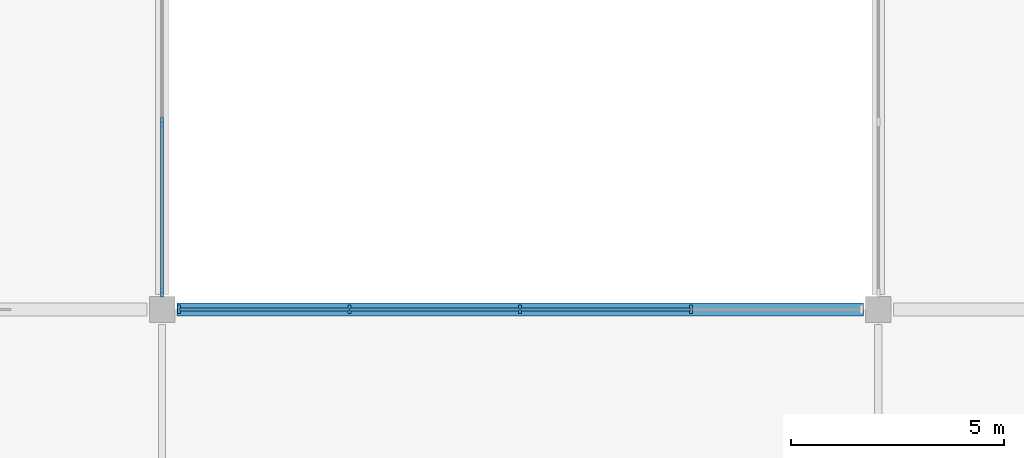
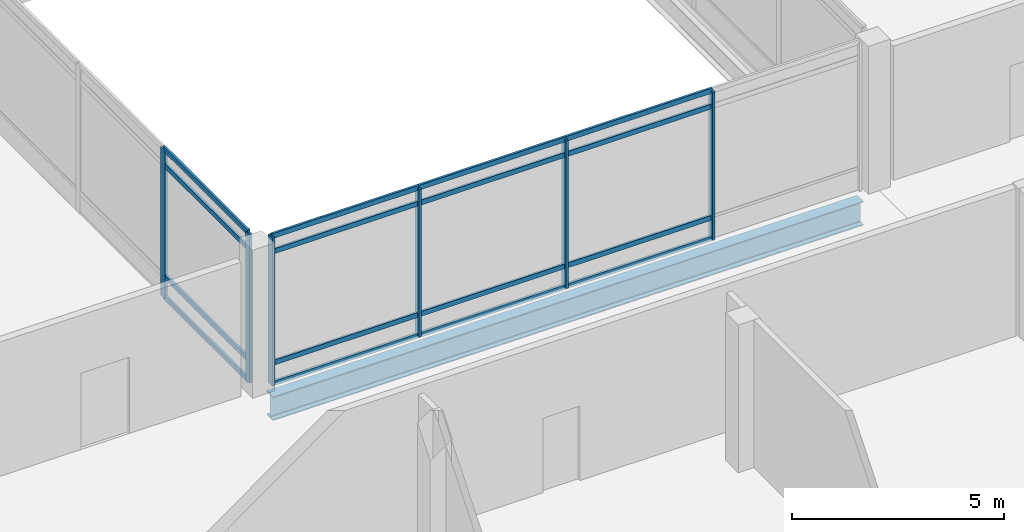
# One storey, part 2 of 81: 22 members, 1 beam, 2 elements without a shape of their own.
"""IFC4 building model written with IfcOpenShell, lengths in metres."""

import ifcopenshell
import ifcopenshell.guid

model = None  # the IFC model being written
_history = None  # IfcOwnerHistory: only IFC2X3 demands one
_inside = {}  # id of a spatial element -> (the spatial element, [elements in it])
_under = {}  # id of a project, library or spatial element -> (it, [spatial elements below it])
_declared = {}  # id of a project -> (the project, [libraries it declares])
_typed = {}  # id of a type object -> (the type object, [elements of that type])
_made_of = {}  # id of a material, layer set ... -> (it, [elements and type objects made of it])


def new_model(schema):
    """Start an empty IFC model of exactly this schema.

    Asked for "IFC4X3", IfcOpenShell would pick the latest addendum, in which some entities
    have other attributes; the version numbers below select the first issue.
    IFC2X3 requires an IfcOwnerHistory on every rooted entity: one is made here for all.
    """
    global model, _history
    if schema == "IFC4X3":
        model = ifcopenshell.file(schema_version=(4, 3, 0, 0))
    else:
        model = ifcopenshell.file(schema=schema)
    _inside.clear()
    _under.clear()
    _declared.clear()
    _typed.clear()
    _made_of.clear()
    _history = None
    if model.schema == "IFC2X3":
        org = make("IfcOrganization", Name="unknown")
        user = make(
            "IfcPersonAndOrganization",
            ThePerson=make("IfcPerson", FamilyName="unknown"),
            TheOrganization=org,
        )
        app = make(
            "IfcApplication",
            ApplicationDeveloper=org,
            Version="unknown",
            ApplicationFullName="unknown",
            ApplicationIdentifier="unknown",
        )
        _history = make(
            "IfcOwnerHistory",
            OwningUser=user,
            OwningApplication=app,
            ChangeAction="ADDED",
            CreationDate=0,
        )
    return model


def make(cls, **values):
    """One entity of the class cls with the attributes given. An attribute that is None is left unset."""
    return model.create_entity(
        cls, **{name: value for name, value in values.items() if value is not None}
    )


def rooted(cls, **values):
    """An entity with a GlobalId (a new one), such as an element, a storey or a relation."""
    return make(cls, GlobalId=ifcopenshell.guid.new(), OwnerHistory=_history, **values)


def si_unit(unit_type, name, prefix=None):
    """IfcSIUnit, for example si_unit("LENGTHUNIT", "METRE", prefix="MILLI")."""
    return make("IfcSIUnit", UnitType=unit_type, Prefix=prefix, Name=name)


def assignment(units):
    """IfcUnitAssignment: the units of a project."""
    return None if units is None else make("IfcUnitAssignment", Units=units)


def point(xyz):
    """IfcCartesianPoint."""
    return None if xyz is None else make("IfcCartesianPoint", Coordinates=xyz)


def direction(xyz):
    """IfcDirection."""
    return None if xyz is None else make("IfcDirection", DirectionRatios=xyz)


def frame(location, z_axis=None, x_axis=None):
    """IfcAxis2Placement3D, a coordinate frame: its origin and axes. An axis left out is left unset."""
    return make(
        "IfcAxis2Placement3D",
        Location=point(location),
        Axis=direction(z_axis),
        RefDirection=direction(x_axis),
    )


def frame_2d(location, x_axis=None):
    """IfcAxis2Placement2D, a coordinate frame in the plane: its origin and x axis."""
    return make(
        "IfcAxis2Placement2D", Location=point(location), RefDirection=direction(x_axis)
    )


def origin():
    """The frame at (0, 0, 0) with its axes left unset."""
    return frame((0.0, 0.0, 0.0))


def origin_2d():
    """The frame at (0, 0) in the plane with its x axis left unset."""
    return frame_2d((0.0, 0.0))


def place(relative_to, where):
    """IfcLocalPlacement: puts the frame where relative to a parent placement (None: the world)."""
    return make(
        "IfcLocalPlacement", PlacementRelTo=relative_to, RelativePlacement=where
    )


def context(
    kind, dimensions, precision=None, world=None, true_north=None, identifier=None
):
    """IfcGeometricRepresentationContext, for example the 3D "Model" context."""
    return make(
        "IfcGeometricRepresentationContext",
        ContextIdentifier=identifier,
        ContextType=kind,
        CoordinateSpaceDimension=dimensions,
        Precision=precision,
        WorldCoordinateSystem=world,
        TrueNorth=true_north,
    )


def subcontext(parent, identifier, kind, view, scale=None):
    """IfcGeometricRepresentationSubContext, for example "Body" below "Model"."""
    return make(
        "IfcGeometricRepresentationSubContext",
        ContextIdentifier=identifier,
        ContextType=kind,
        ParentContext=parent,
        TargetScale=scale,
        TargetView=view,
    )


def project(units=None, contexts=None):
    """IfcProject with its units and contexts."""
    return rooted(
        "IfcProject",
        Name="project",
        RepresentationContexts=contexts,
        UnitsInContext=assignment(units),
    )


def spatial(cls, under=None, at=None, **own):
    """A site, building, storey or space (cls), placed at a placement, below another one or the project."""
    s = rooted(cls, ObjectPlacement=at, **own)
    if under is not None:
        _under.setdefault(under.id(), (under, []))[1].append(s)
    return s


def profile(cls, at=None, kind="AREA", **sizes):
    """A parametric profile (cls). Its sizes go by their IFC names, for example OverallWidth=200.0."""
    return make(cls, ProfileType=kind, Position=at, **sizes)


def rectangle(**sizes):
    """IfcRectangleProfileDef."""
    return profile("IfcRectangleProfileDef", **sizes)


def i_section(**sizes):
    """IfcIShapeProfileDef."""
    return profile("IfcIShapeProfileDef", **sizes)


def extrude(swept, where, along, depth):
    """IfcExtrudedAreaSolid: the profile swept, set in the frame where, extruded along a direction by depth."""
    return make(
        "IfcExtrudedAreaSolid",
        SweptArea=swept,
        Position=where,
        ExtrudedDirection=direction(along),
        Depth=depth,
    )


def shape(context_of_items, identifier, shape_type, items):
    """IfcShapeRepresentation: the items that make up one representation, for example the "Body"."""
    return make(
        "IfcShapeRepresentation",
        ContextOfItems=context_of_items,
        RepresentationIdentifier=identifier,
        RepresentationType=shape_type,
        Items=items,
    )


def material(Name=None, Category=None):
    """IfcMaterial."""
    return make("IfcMaterial", Name=Name, Category=Category)


def layer(
    of_material, thickness, ventilated=None, Name=None, Category=None, Priority=None
):
    """IfcMaterialLayer: one layer of a wall or slab, of a material (None: an air gap)."""
    return make(
        "IfcMaterialLayer",
        Material=of_material,
        LayerThickness=thickness,
        IsVentilated=ventilated,
        Name=Name,
        Category=Category,
        Priority=Priority,
    )


def layer_set(layers, Name=None):
    """IfcMaterialLayerSet."""
    return make("IfcMaterialLayerSet", MaterialLayers=layers, LayerSetName=Name)


def material_profile(
    of_material, cross_section, Name=None, Category=None, Priority=None
):
    """IfcMaterialProfile: a cross section and its material."""
    return make(
        "IfcMaterialProfile",
        Name=Name,
        Material=of_material,
        Profile=cross_section,
        Priority=Priority,
        Category=Category,
    )


def profile_set(profiles, Name=None, composite=None):
    """IfcMaterialProfileSet."""
    return make(
        "IfcMaterialProfileSet",
        Name=Name,
        MaterialProfiles=profiles,
        CompositeProfile=composite,
    )


def made_of(thing, what):
    """Note that an element or type object is made of a material, layer set ...; save() writes the relation."""
    if what is not None:
        _made_of.setdefault(what.id(), (what, []))[1].append(thing)
    return thing


def type_object(cls, material=None, **own):
    """A type object (cls), such as IfcWallType, which elements share."""
    return made_of(rooted(cls, **own), material)


def element(
    cls,
    number,
    at=None,
    inside=None,
    cuts=None,
    type_object=None,
    material=None,
    context=None,
    identifier="Body",
    shape_type=None,
    held_by="IfcProductDefinitionShape",
    body=None,
    shapes=None,
    **own,
):
    """One element of the class cls, such as IfcWall. Its Tag is "e" and its number.

    at: its placement. inside: the storey or other place that contains it. cuts: it is an
    opening in that element (IfcRelVoidsElement). A single representation is given by context,
    identifier, shape_type and body (its items); several are given by shapes. held_by: the class
    of the entity that holds the representations. save() writes the other relations.
    """
    e = rooted(cls, Tag="e%d" % number, ObjectPlacement=at, **own)
    if body is not None:
        shapes = [shape(context, identifier, shape_type, body)]
    if shapes is not None:
        e.Representation = make(held_by, Representations=shapes)
    if inside is not None:
        _inside.setdefault(inside.id(), (inside, []))[1].append(e)
    if cuts is not None:
        rooted(
            "IfcRelVoidsElement", RelatingBuildingElement=cuts, RelatedOpeningElement=e
        )
    if type_object is not None:
        _typed.setdefault(type_object.id(), (type_object, []))[1].append(e)
    return made_of(e, material)


def aggregate(whole, parts):
    """IfcRelAggregates: a whole, such as a stair, and the parts it consists of."""
    return rooted("IfcRelAggregates", RelatingObject=whole, RelatedObjects=parts)


def save(model, path):
    """Write the relations noted so far, then the file.

    IfcRelAggregates (storeys below a building ...), IfcRelContainedInSpatialStructure (elements
    in a storey), IfcRelDefinesByType, IfcRelAssociatesMaterial and IfcRelDeclares: one each for
    every whole, place, type object, material and project.
    """
    for whole, parts in _under.values():
        aggregate(whole, parts)
    for where, things in _inside.values():
        rooted(
            "IfcRelContainedInSpatialStructure",
            RelatedElements=things,
            RelatingStructure=where,
        )
    for kind, things in _typed.values():
        rooted("IfcRelDefinesByType", RelatedObjects=things, RelatingType=kind)
    for what, things in _made_of.values():
        rooted("IfcRelAssociatesMaterial", RelatedObjects=things, RelatingMaterial=what)
    for by, libraries in _declared.values():
        rooted("IfcRelDeclares", RelatingContext=by, RelatedDefinitions=libraries)
    model.write(path)


model = new_model("IFC4")

# Units and contexts
model_context = context("Model", 3, precision=1e-05, world=origin(), true_north=direction((0.0, 1.0)))
body_context = subcontext(model_context, "Body", "Model", "MODEL_VIEW")
ifc_project = project(units=[si_unit("LENGTHUNIT", "METRE"), si_unit("AREAUNIT", "SQUARE_METRE"), si_unit("VOLUMEUNIT", "CUBIC_METRE"), si_unit("PLANEANGLEUNIT", "RADIAN"), si_unit("MASSUNIT", "GRAM", prefix="KILO")], contexts=[model_context])

# Site, building, storey
site_placement = place(None, origin())
site = spatial("IfcSite", under=ifc_project, at=site_placement, CompositionType="ELEMENT")
building_placement = place(site_placement, origin())
building = spatial("IfcBuilding", under=site, at=building_placement, Name="Qawsi Khor Wholesale Market", CompositionType="ELEMENT")
storey_placement = place(building_placement, frame((0.0, 0.0, 16.199951171875)))
storey = spatial("IfcBuildingStorey", under=building, at=storey_placement, Name="L03", CompositionType="ELEMENT", Elevation=16.199951171875)

# Curtain wall, members
ifc_material_1 = material(Name="Aluminium Anodised Bronze", Category="aluminium")
ifc_layer = layer(ifc_material_1, 0.179931640625, Name="Aluminium Anodised Bronze")
ifc_layer_set = layer_set([ifc_layer], Name="Aluminium Anodised Bronze")
curtain_wall_type = type_object("IfcCurtainWallType", Name="Atrium Full-Height Curtain Wall CW-02", PredefinedType="NOTDEFINED", material=ifc_layer_set)
curtain_wall_1_placement = place(storey_placement, origin())
curtain_wall_1 = element("IfcCurtainWall", 1, at=curtain_wall_1_placement, inside=storey, type_object=curtain_wall_type, Name="Curtain wall CW-CW-02-L03-026", PredefinedType="NOTDEFINED")
ifc_material_profile_1 = material_profile(ifc_material_1, rectangle(XDim=0.070068359375, YDim=0.199951171875, at=origin_2d()), Name="ALU MULLION 70x200")
ifc_profile_set_1 = profile_set([ifc_material_profile_1], Name="Aluminium Anodised Bronze")
member_type_1 = type_object("IfcMemberType", Name="Curtain Wall Mullion CW-02 ALU MULLION 70x200", PredefinedType="MULLION", material=ifc_profile_set_1)
member_1_placement = place(storey_placement, frame((50.794921875, 25.199951171875, -0.02001953125), z_axis=(0.0, 0.0, 1.0), x_axis=(1.0, 0.0, 0.0)))
member_1 = element("IfcMember", 2, at=member_1_placement, type_object=member_type_1, Name="Mullion CW-CW-02-L03-026-M00", PredefinedType="MULLION", context=body_context, shape_type="SweptSolid", body=[
    extrude(rectangle(XDim=0.070068359375, YDim=0.199951171875, at=origin_2d()), origin(), (0.0, 0.0, 1.0), 4.280029296875),
])
member_2_placement = place(storey_placement, frame((54.797607421875, 25.199951171875, -0.02001953125), z_axis=(0.0, 0.0, 1.0), x_axis=(1.0, 0.0, 0.0)))
member_2 = element("IfcMember", 3, at=member_2_placement, type_object=member_type_1, Name="Mullion CW-CW-02-L03-026-M01", PredefinedType="MULLION", context=body_context, shape_type="SweptSolid", body=[
    extrude(rectangle(XDim=0.070068359375, YDim=0.199951171875, at=origin_2d()), origin(), (0.0, 0.0, 1.0), 4.280029296875),
])
member_3_placement = place(storey_placement, frame((58.800048828125, 25.199951171875, -0.02001953125), z_axis=(0.0, 0.0, 1.0), x_axis=(1.0, 0.0, 0.0)))
member_3 = element("IfcMember", 4, at=member_3_placement, type_object=member_type_1, Name="Mullion CW-CW-02-L03-026-M02", PredefinedType="MULLION", context=body_context, shape_type="SweptSolid", body=[
    extrude(rectangle(XDim=0.070068359375, YDim=0.199951171875, at=origin_2d()), origin(), (0.0, 0.0, 1.0), 4.280029296875),
])
member_4_placement = place(storey_placement, frame((62.802490234375, 25.199951171875, -0.02001953125), z_axis=(0.0, 0.0, 1.0), x_axis=(1.0, 0.0, 0.0)))
member_4 = element("IfcMember", 5, at=member_4_placement, type_object=member_type_1, Name="Mullion CW-CW-02-L03-026-M03", PredefinedType="MULLION", context=body_context, shape_type="SweptSolid", body=[
    extrude(rectangle(XDim=0.070068359375, YDim=0.199951171875, at=origin_2d()), origin(), (0.0, 0.0, 1.0), 4.280029296875),
])

curtain_wall_2_placement = place(storey_placement, origin())
curtain_wall_2 = element("IfcCurtainWall", 6, at=curtain_wall_2_placement, inside=storey, type_object=curtain_wall_type, Name="Curtain wall CW-CW-02-L03-029", PredefinedType="NOTDEFINED")
member_5_placement = place(storey_placement, frame((50.39990234375, 25.594970703125, -0.02001953125), z_axis=(0.0, 0.0, 1.0), x_axis=(1.0, 0.0, 0.0)))
member_5 = element("IfcMember", 7, at=member_5_placement, type_object=member_type_1, Name="Mullion CW-CW-02-L03-029-M00", PredefinedType="MULLION", context=body_context, shape_type="SweptSolid", body=[
    extrude(rectangle(XDim=0.070068359375, YDim=0.199951171875, at=origin_2d()), origin(), (0.0, 0.0, 1.0), 4.280029296875),
])
member_6_placement = place(storey_placement, frame((50.39990234375, 29.597412109375, -0.02001953125), z_axis=(0.0, 0.0, 1.0), x_axis=(1.0, 0.0, 0.0)))
member_6 = element("IfcMember", 8, at=member_6_placement, type_object=member_type_1, Name="Mullion CW-CW-02-L03-029-M01", PredefinedType="MULLION", context=body_context, shape_type="SweptSolid", body=[
    extrude(rectangle(XDim=0.070068359375, YDim=0.199951171875, at=origin_2d()), origin(), (0.0, 0.0, 1.0), 4.280029296875),
])

# Member
ifc_material_profile_2 = material_profile(ifc_material_1, rectangle(XDim=0.06494140625, YDim=0.139892578125, at=origin_2d()), Name="ALU TRANSOM 65x140")
ifc_profile_set_2 = profile_set([ifc_material_profile_2], Name="Aluminium Anodised Bronze")
member_type_2 = type_object("IfcMemberType", Name="Curtain Wall Transom CW-02 ALU TRANSOM 65x140", PredefinedType="USERDEFINED", material=ifc_profile_set_2)
member_7_placement = place(storey_placement, frame((50.794921875, 25.199951171875, 0.0), z_axis=(1.0, 0.0, 0.0), x_axis=(0.0, 1.0, 0.0)))
member_7 = element("IfcMember", 9, at=member_7_placement, type_object=member_type_2, Name="Transom CW-CW-02-L03-026-T0_00", ObjectType="TRANSOM", PredefinedType="USERDEFINED", context=body_context, shape_type="SweptSolid", body=[
    extrude(rectangle(XDim=0.06494140625, YDim=0.139892578125, at=origin_2d()), origin(), (0.0, 0.0, 1.0), 4.002685546875),
])

member_8_placement = place(storey_placement, frame((54.797607421875, 25.199951171875, 0.0), z_axis=(1.0, 0.0, 0.0), x_axis=(0.0, 1.0, 0.0)))
member_8 = element("IfcMember", 10, at=member_8_placement, type_object=member_type_2, Name="Transom CW-CW-02-L03-026-T0_01", ObjectType="TRANSOM", PredefinedType="USERDEFINED", context=body_context, shape_type="SweptSolid", body=[
    extrude(rectangle(XDim=0.06494140625, YDim=0.139892578125, at=origin_2d()), origin(), (0.0, 0.0, 1.0), 4.00244140625),
])

member_9_placement = place(storey_placement, frame((58.800048828125, 25.199951171875, 0.0), z_axis=(1.0, 0.0, 0.0), x_axis=(0.0, 1.0, 0.0)))
member_9 = element("IfcMember", 11, at=member_9_placement, type_object=member_type_2, Name="Transom CW-CW-02-L03-026-T0_02", ObjectType="TRANSOM", PredefinedType="USERDEFINED", context=body_context, shape_type="SweptSolid", body=[
    extrude(rectangle(XDim=0.06494140625, YDim=0.139892578125, at=origin_2d()), origin(), (0.0, 0.0, 1.0), 4.00244140625),
])

member_10_placement = place(storey_placement, frame((50.794921875, 25.199951171875, 0.60009765625), z_axis=(1.0, 0.0, 0.0), x_axis=(0.0, 1.0, 0.0)))
member_10 = element("IfcMember", 12, at=member_10_placement, type_object=member_type_2, Name="Transom CW-CW-02-L03-026-T1_00", ObjectType="TRANSOM", PredefinedType="USERDEFINED", context=body_context, shape_type="SweptSolid", body=[
    extrude(rectangle(XDim=0.06494140625, YDim=0.139892578125, at=origin_2d()), origin(), (0.0, 0.0, 1.0), 4.002685546875),
])

member_11_placement = place(storey_placement, frame((54.797607421875, 25.199951171875, 0.60009765625), z_axis=(1.0, 0.0, 0.0), x_axis=(0.0, 1.0, 0.0)))
member_11 = element("IfcMember", 13, at=member_11_placement, type_object=member_type_2, Name="Transom CW-CW-02-L03-026-T1_01", ObjectType="TRANSOM", PredefinedType="USERDEFINED", context=body_context, shape_type="SweptSolid", body=[
    extrude(rectangle(XDim=0.06494140625, YDim=0.139892578125, at=origin_2d()), origin(), (0.0, 0.0, 1.0), 4.00244140625),
])

member_12_placement = place(storey_placement, frame((58.800048828125, 25.199951171875, 0.60009765625), z_axis=(1.0, 0.0, 0.0), x_axis=(0.0, 1.0, 0.0)))
member_12 = element("IfcMember", 14, at=member_12_placement, type_object=member_type_2, Name="Transom CW-CW-02-L03-026-T1_02", ObjectType="TRANSOM", PredefinedType="USERDEFINED", context=body_context, shape_type="SweptSolid", body=[
    extrude(rectangle(XDim=0.06494140625, YDim=0.139892578125, at=origin_2d()), origin(), (0.0, 0.0, 1.0), 4.00244140625),
])

member_13_placement = place(storey_placement, frame((50.794921875, 25.199951171875, 3.81005859375), z_axis=(1.0, 0.0, 0.0), x_axis=(0.0, 1.0, 0.0)))
member_13 = element("IfcMember", 15, at=member_13_placement, type_object=member_type_2, Name="Transom CW-CW-02-L03-026-T2_00", ObjectType="TRANSOM", PredefinedType="USERDEFINED", context=body_context, shape_type="SweptSolid", body=[
    extrude(rectangle(XDim=0.06494140625, YDim=0.139892578125, at=origin_2d()), origin(), (0.0, 0.0, 1.0), 4.002685546875),
])

member_14_placement = place(storey_placement, frame((54.797607421875, 25.199951171875, 3.81005859375), z_axis=(1.0, 0.0, 0.0), x_axis=(0.0, 1.0, 0.0)))
member_14 = element("IfcMember", 16, at=member_14_placement, type_object=member_type_2, Name="Transom CW-CW-02-L03-026-T2_01", ObjectType="TRANSOM", PredefinedType="USERDEFINED", context=body_context, shape_type="SweptSolid", body=[
    extrude(rectangle(XDim=0.06494140625, YDim=0.139892578125, at=origin_2d()), origin(), (0.0, 0.0, 1.0), 4.00244140625),
])

member_15_placement = place(storey_placement, frame((58.800048828125, 25.199951171875, 3.81005859375), z_axis=(1.0, 0.0, 0.0), x_axis=(0.0, 1.0, 0.0)))
member_15 = element("IfcMember", 17, at=member_15_placement, type_object=member_type_2, Name="Transom CW-CW-02-L03-026-T2_02", ObjectType="TRANSOM", PredefinedType="USERDEFINED", context=body_context, shape_type="SweptSolid", body=[
    extrude(rectangle(XDim=0.06494140625, YDim=0.139892578125, at=origin_2d()), origin(), (0.0, 0.0, 1.0), 4.00244140625),
])

member_16_placement = place(storey_placement, frame((50.794921875, 25.199951171875, 4.260009765625), z_axis=(1.0, 0.0, 0.0), x_axis=(0.0, 1.0, 0.0)))
member_16 = element("IfcMember", 18, at=member_16_placement, type_object=member_type_2, Name="Transom CW-CW-02-L03-026-T3_00", ObjectType="TRANSOM", PredefinedType="USERDEFINED", context=body_context, shape_type="SweptSolid", body=[
    extrude(rectangle(XDim=0.06494140625, YDim=0.139892578125, at=origin_2d()), origin(), (0.0, 0.0, 1.0), 4.002685546875),
])

member_17_placement = place(storey_placement, frame((54.797607421875, 25.199951171875, 4.260009765625), z_axis=(1.0, 0.0, 0.0), x_axis=(0.0, 1.0, 0.0)))
member_17 = element("IfcMember", 19, at=member_17_placement, type_object=member_type_2, Name="Transom CW-CW-02-L03-026-T3_01", ObjectType="TRANSOM", PredefinedType="USERDEFINED", context=body_context, shape_type="SweptSolid", body=[
    extrude(rectangle(XDim=0.06494140625, YDim=0.139892578125, at=origin_2d()), origin(), (0.0, 0.0, 1.0), 4.00244140625),
])

member_18_placement = place(storey_placement, frame((58.800048828125, 25.199951171875, 4.260009765625), z_axis=(1.0, 0.0, 0.0), x_axis=(0.0, 1.0, 0.0)))
member_18 = element("IfcMember", 20, at=member_18_placement, type_object=member_type_2, Name="Transom CW-CW-02-L03-026-T3_02", ObjectType="TRANSOM", PredefinedType="USERDEFINED", context=body_context, shape_type="SweptSolid", body=[
    extrude(rectangle(XDim=0.06494140625, YDim=0.139892578125, at=origin_2d()), origin(), (0.0, 0.0, 1.0), 4.00244140625),
])

aggregate(curtain_wall_1, [member_1, member_2, member_3, member_4, member_7, member_8, member_9, member_10, member_11, member_12, member_13, member_14, member_15, member_16, member_17, member_18])

member_19_placement = place(storey_placement, frame((50.39990234375, 25.594970703125, 0.0), z_axis=(0.0, 1.0, 0.0), x_axis=(-1.0, 0.0, 0.0)))
member_19 = element("IfcMember", 21, at=member_19_placement, type_object=member_type_2, Name="Transom CW-CW-02-L03-029-T0_00", ObjectType="TRANSOM", PredefinedType="USERDEFINED", context=body_context, shape_type="SweptSolid", body=[
    extrude(rectangle(XDim=0.06494140625, YDim=0.139892578125, at=origin_2d()), origin(), (0.0, 0.0, 1.0), 4.00244140625),
])

member_20_placement = place(storey_placement, frame((50.39990234375, 25.594970703125, 0.60009765625), z_axis=(0.0, 1.0, 0.0), x_axis=(-1.0, 0.0, 0.0)))
member_20 = element("IfcMember", 22, at=member_20_placement, type_object=member_type_2, Name="Transom CW-CW-02-L03-029-T1_00", ObjectType="TRANSOM", PredefinedType="USERDEFINED", context=body_context, shape_type="SweptSolid", body=[
    extrude(rectangle(XDim=0.06494140625, YDim=0.139892578125, at=origin_2d()), origin(), (0.0, 0.0, 1.0), 4.00244140625),
])

member_21_placement = place(storey_placement, frame((50.39990234375, 25.594970703125, 3.81005859375), z_axis=(0.0, 1.0, 0.0), x_axis=(-1.0, 0.0, 0.0)))
member_21 = element("IfcMember", 23, at=member_21_placement, type_object=member_type_2, Name="Transom CW-CW-02-L03-029-T2_00", ObjectType="TRANSOM", PredefinedType="USERDEFINED", context=body_context, shape_type="SweptSolid", body=[
    extrude(rectangle(XDim=0.06494140625, YDim=0.139892578125, at=origin_2d()), origin(), (0.0, 0.0, 1.0), 4.00244140625),
])

member_22_placement = place(storey_placement, frame((50.39990234375, 25.594970703125, 4.260009765625), z_axis=(0.0, 1.0, 0.0), x_axis=(-1.0, 0.0, 0.0)))
member_22 = element("IfcMember", 24, at=member_22_placement, type_object=member_type_2, Name="Transom CW-CW-02-L03-029-T3_00", ObjectType="TRANSOM", PredefinedType="USERDEFINED", context=body_context, shape_type="SweptSolid", body=[
    extrude(rectangle(XDim=0.06494140625, YDim=0.139892578125, at=origin_2d()), origin(), (0.0, 0.0, 1.0), 4.00244140625),
])

aggregate(curtain_wall_2, [member_5, member_6, member_19, member_20, member_21, member_22])

# Beam
ifc_material_2 = material(Name="Steel S355", Category="steel")
ifc_material_profile_3 = material_profile(ifc_material_2, i_section(OverallWidth=0.300048828125, OverallDepth=0.68994140625, WebThickness=0.014404296875, FlangeThickness=0.027099609375, FilletRadius=0.027099609375, at=origin_2d()), Name="HEA 700")
ifc_profile_set_3 = profile_set([ifc_material_profile_3], Name="Steel S355")
beam_type = type_object("IfcBeamType", Name="Primary Girder HEA 700", PredefinedType="BEAM", material=ifc_profile_set_3)
beam_placement = place(storey_placement, frame((50.75, 25.199951171875, -0.625), z_axis=(1.0, 0.0, 0.0), x_axis=(0.0, 1.0, 0.0)))
element("IfcBeam", 25, at=beam_placement, inside=storey, type_object=beam_type, Name="BM-XL-L03-06_+03", PredefinedType="BEAM", context=body_context, shape_type="SweptSolid", body=[
    extrude(i_section(OverallWidth=0.300048828125, OverallDepth=0.68994140625, WebThickness=0.014404296875, FlangeThickness=0.027099609375, FilletRadius=0.027099609375, at=origin_2d()), origin(), (0.0, 0.0, 1.0), 16.10009765625),
])

save(model, "model.ifc")
